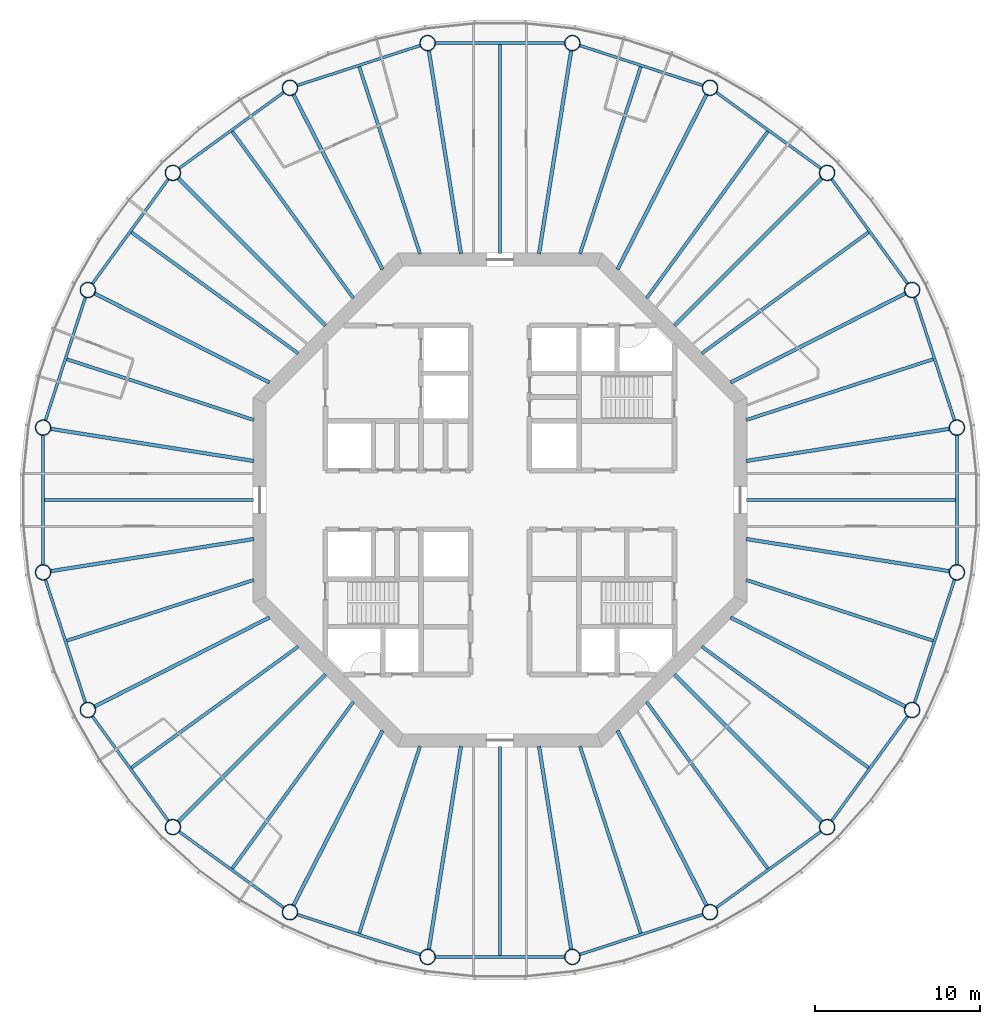
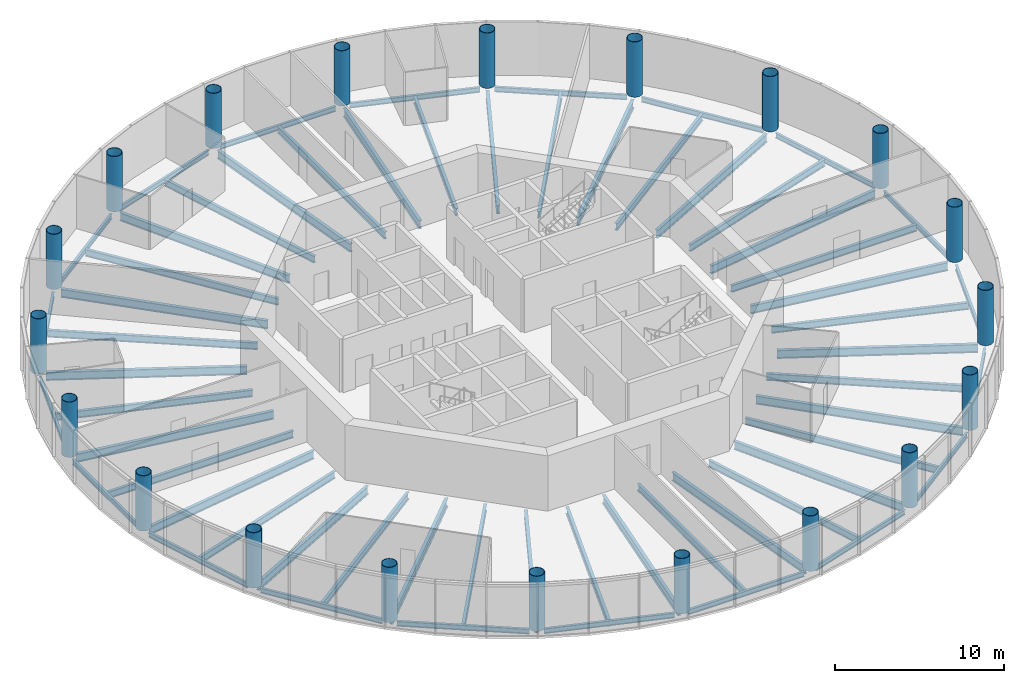
# One storey, part 1 of 13: 60 beams, 20 columns.
"""IFC4 building model written with IfcOpenShell, lengths in metres."""

from ifc_helpers import new_model, si_unit, direction, frame, origin, origin_2d, place, context, subcontext, project, spatial, circle, hollow_circle, i_section, extrude, material, material_profile, profile_set, type_object, element, save


model = new_model("IFC4")

# Units and contexts
model_context = context("Model", 3, precision=1e-05, world=origin(), true_north=direction((0.0, 1.0)))
body_context = subcontext(model_context, "Body", "Model", "MODEL_VIEW")
ifc_project = project(units=[si_unit("LENGTHUNIT", "METRE"), si_unit("AREAUNIT", "SQUARE_METRE"), si_unit("VOLUMEUNIT", "CUBIC_METRE"), si_unit("PLANEANGLEUNIT", "RADIAN"), si_unit("MASSUNIT", "GRAM", prefix="KILO")], contexts=[model_context])

# Site, building, storey
site_placement = place(None, origin())
site = spatial("IfcSite", under=ifc_project, at=site_placement, CompositionType="ELEMENT")
building_placement = place(site_placement, origin())
building = spatial("IfcBuilding", under=site, at=building_placement, Name="Entoto Ring Tower", CompositionType="ELEMENT")
storey_placement = place(building_placement, frame((0.0, 0.0, 278.0)))
storey = spatial("IfcBuildingStorey", under=building, at=storey_placement, Name="L63", CompositionType="ELEMENT", Elevation=278.0)

# Columns
ifc_material_1 = material(Name="Steel S355", Category="steel")
ifc_material_profile_1 = material_profile(ifc_material_1, hollow_circle(Radius=0.47509765625, WallThickness=0.034912109375, at=origin_2d()), Name="CHS 950 x 35")
ifc_material_2 = material(Name="Concrete C60/75", Category="concrete")
ifc_material_profile_2 = material_profile(ifc_material_2, circle(Radius=0.43994140625, at=origin_2d()), Name="Concrete C60/75 infill")
ifc_profile_set_1 = profile_set([ifc_material_profile_1, ifc_material_profile_2], Name="Steel S355")
column_type = type_object("IfcColumnType", Name="Ring column 950 x 35 concrete-filled tube", PredefinedType="COLUMN", material=ifc_profile_set_1)
for number, where, z_axis, x_axis, name in (
    (1, (117.754150390625, 84.395751953125, 0.0), (0.0, 0.0, 1.0), (1.0, 0.0, 0.0), "RC5 R01"),
    (2, (115.037353515625, 92.757080078125, 0.0), (0.0, 0.0, 1.0), (1.0, 0.0, 0.0), "RC5 R02"),
    (3, (109.86962890625, 99.86962890625, 0.0), (0.0, 0.0, 1.0), (1.0, 0.0, 0.0), "RC5 R03"),
    (4, (102.757080078125, 105.037353515625, 0.0), (0.0, 0.0, 1.0), (1.0, 0.0, 0.0), "RC5 R04"),
    (5, (94.395751953125, 107.754150390625, 0.0), (0.0, 0.0, 1.0), (1.0, 0.0, 0.0), "RC5 R05"),
    (6, (85.604248046875, 107.754150390625, 0.0), (0.0, 0.0, 1.0), (1.0, 0.0, 0.0), "RC5 R06"),
    (7, (77.242919921875, 105.037353515625, 0.0), (0.0, 0.0, 1.0), (1.0, 0.0, 0.0), "RC5 R07"),
    (8, (70.13037109375, 99.86962890625, 0.0), (0.0, 0.0, 1.0), (1.0, 0.0, 0.0), "RC5 R08"),
    (9, (64.962646484375, 92.757080078125, 0.0), (0.0, 0.0, 1.0), (1.0, 0.0, 0.0), "RC5 R09"),
    (10, (62.245849609375, 84.395751953125, 0.0), (0.0, 0.0, 1.0), (1.0, 0.0, 0.0), "RC5 R10"),
    (11, (62.245849609375, 75.604248046875, 0.0), (0.0, 0.0, 1.0), (1.0, 0.0, 0.0), "RC5 R11"),
    (12, (64.962646484375, 67.242919921875, 0.0), (0.0, 0.0, 1.0), (1.0, 0.0, 0.0), "RC5 R12"),
    (13, (70.13037109375, 60.13037109375, 0.0), (0.0, 0.0, 1.0), (1.0, 0.0, 0.0), "RC5 R13"),
    (14, (77.242919921875, 54.962646484375, 0.0), (0.0, 0.0, 1.0), (1.0, 0.0, 0.0), "RC5 R14"),
    (15, (85.604248046875, 52.245849609375, 0.0), (0.0, 0.0, 1.0), (1.0, 0.0, 0.0), "RC5 R15"),
    (16, (94.395751953125, 52.245849609375, 0.0), (0.0, 0.0, 1.0), (1.0, 0.0, 0.0), "RC5 R16"),
    (17, (102.757080078125, 54.962646484375, 0.0), (0.0, 0.0, 1.0), (1.0, 0.0, 0.0), "RC5 R17"),
    (18, (109.86962890625, 60.13037109375, 0.0), (0.0, 0.0, 1.0), (1.0, 0.0, 0.0), "RC5 R18"),
    (19, (115.037353515625, 67.242919921875, 0.0), (0.0, 0.0, 1.0), (1.0, 0.0, 0.0), "RC5 R19"),
    (20, (117.754150390625, 75.604248046875, 0.0), (0.0, 0.0, 1.0), (1.0, 0.0, 0.0), "RC5 R20"),
):
    element("IfcColumn", number, at=place(storey_placement, frame(where, z_axis=z_axis, x_axis=x_axis)), inside=storey, type_object=column_type, Name=name, PredefinedType="COLUMN", context=body_context, shape_type="SweptSolid", body=[
        extrude(hollow_circle(Radius=0.47509765625, WallThickness=0.034912109375, at=origin_2d()), origin(), (0.0, 0.0, 1.0), 4.0),
    ])

# Beams
ifc_material_3 = material(Name="Steel S355", Category="steel")
ifc_material_profile_3 = material_profile(ifc_material_3, i_section(OverallWidth=0.169921875, OverallDepth=0.360107421875, WebThickness=0.008056640625, FlangeThickness=0.0126953125, FilletRadius=0.01806640625, at=origin_2d()), Name="IPE 360")
ifc_profile_set_2 = profile_set([ifc_material_profile_3], Name="Steel S355")
beam_type_1 = type_object("IfcBeamType", Name="Edge beam IPE 360", PredefinedType="SPANDREL", material=ifc_profile_set_2)
beam_1_placement = place(storey_placement, frame((117.61572265625, 84.8212890625, -0.330078125), z_axis=(-0.309002883506, 0.951061101079, 0.0), x_axis=(-0.951061101079, -0.309002883506, 0.0)))
element("IfcBeam", 21, at=beam_1_placement, inside=storey, type_object=beam_type_1, Name="Edge beam L63 01", PredefinedType="SPANDREL", context=body_context, shape_type="SweptSolid", body=[
    extrude(i_section(OverallWidth=0.169921875, OverallDepth=0.360107421875, WebThickness=0.008056640625, FlangeThickness=0.0126953125, FilletRadius=0.01806640625, at=origin_2d()), origin(), (0.0, 0.0, 1.0), 7.89697265625),
])
for number, where, z_axis, x_axis, name in (
    (22, (114.7744140625, 93.118896484375, -0.330078125), (-0.587787449408, 0.809015398073, 0.0), (-0.809015398073, -0.587787449408, 0.0), "Edge beam L63 02"),
    (23, (109.5078125, 100.132568359375, -0.330078125), (-0.809015398073, 0.587787449408, 0.0), (-0.587787449408, -0.809015398073, 0.0), "Edge beam L63 03"),
):
    element("IfcBeam", number, at=place(storey_placement, frame(where, z_axis=z_axis, x_axis=x_axis)), inside=storey, type_object=beam_type_1, Name=name, PredefinedType="SPANDREL", context=body_context, shape_type="SweptSolid", body=[
        extrude(i_section(OverallWidth=0.169921875, OverallDepth=0.360107421875, WebThickness=0.008056640625, FlangeThickness=0.0126953125, FilletRadius=0.01806640625, at=origin_2d()), origin(), (0.0, 0.0, 1.0), 7.897216796875),
    ])
for number, where, z_axis, x_axis, name in (
    (24, (102.331787109375, 105.175537109375, -0.330078125), (-0.951061101079, 0.309002883506, 0.0), (-0.309002883506, -0.951061101079, 0.0), "Edge beam L63 04"),
    (25, (93.948486328125, 107.754150390625, -0.330078125), (-1.0, 0.0, 0.0), (0.0, -1.0, 0.0), "Edge beam L63 05"),
    (26, (85.1787109375, 107.61572265625, -0.330078125), (-0.951061101079, -0.309002883506, 0.0), (0.309002883506, -0.951061101079, 0.0), "Edge beam L63 06"),
):
    element("IfcBeam", number, at=place(storey_placement, frame(where, z_axis=z_axis, x_axis=x_axis)), inside=storey, type_object=beam_type_1, Name=name, PredefinedType="SPANDREL", context=body_context, shape_type="SweptSolid", body=[
        extrude(i_section(OverallWidth=0.169921875, OverallDepth=0.360107421875, WebThickness=0.008056640625, FlangeThickness=0.0126953125, FilletRadius=0.01806640625, at=origin_2d()), origin(), (0.0, 0.0, 1.0), 7.89697265625),
    ])
for number, where, z_axis, x_axis, name in (
    (27, (76.881103515625, 104.7744140625, -0.330078125), (-0.809015398073, -0.587787449408, 0.0), (0.587787449408, -0.809015398073, 0.0), "Edge beam L63 07"),
    (28, (69.867431640625, 99.5078125, -0.330078125), (-0.587787449408, -0.809015398073, 0.0), (0.809015398073, -0.587787449408, 0.0), "Edge beam L63 08"),
):
    element("IfcBeam", number, at=place(storey_placement, frame(where, z_axis=z_axis, x_axis=x_axis)), inside=storey, type_object=beam_type_1, Name=name, PredefinedType="SPANDREL", context=body_context, shape_type="SweptSolid", body=[
        extrude(i_section(OverallWidth=0.169921875, OverallDepth=0.360107421875, WebThickness=0.008056640625, FlangeThickness=0.0126953125, FilletRadius=0.01806640625, at=origin_2d()), origin(), (0.0, 0.0, 1.0), 7.897216796875),
    ])
for number, where, z_axis, x_axis, name in (
    (29, (64.824462890625, 92.331787109375, -0.330078125), (-0.309002883506, -0.951061101079, 0.0), (0.951061101079, -0.309002883506, 0.0), "Edge beam L63 09"),
    (30, (62.245849609375, 83.948486328125, -0.330078125), (0.0, -1.0, 0.0), (1.0, 0.0, 0.0), "Edge beam L63 10"),
    (31, (62.38427734375, 75.1787109375, -0.330078125), (0.309002883506, -0.951061101079, 0.0), (0.951061101079, 0.309002883506, 0.0), "Edge beam L63 11"),
):
    element("IfcBeam", number, at=place(storey_placement, frame(where, z_axis=z_axis, x_axis=x_axis)), inside=storey, type_object=beam_type_1, Name=name, PredefinedType="SPANDREL", context=body_context, shape_type="SweptSolid", body=[
        extrude(i_section(OverallWidth=0.169921875, OverallDepth=0.360107421875, WebThickness=0.008056640625, FlangeThickness=0.0126953125, FilletRadius=0.01806640625, at=origin_2d()), origin(), (0.0, 0.0, 1.0), 7.89697265625),
    ])
for number, where, z_axis, x_axis, name in (
    (32, (65.2255859375, 66.881103515625, -0.330078125), (0.587787449408, -0.809015398073, 0.0), (0.809015398073, 0.587787449408, 0.0), "Edge beam L63 12"),
    (33, (70.4921875, 59.867431640625, -0.330078125), (0.809015398073, -0.587787449408, 0.0), (0.587787449408, 0.809015398073, 0.0), "Edge beam L63 13"),
):
    element("IfcBeam", number, at=place(storey_placement, frame(where, z_axis=z_axis, x_axis=x_axis)), inside=storey, type_object=beam_type_1, Name=name, PredefinedType="SPANDREL", context=body_context, shape_type="SweptSolid", body=[
        extrude(i_section(OverallWidth=0.169921875, OverallDepth=0.360107421875, WebThickness=0.008056640625, FlangeThickness=0.0126953125, FilletRadius=0.01806640625, at=origin_2d()), origin(), (0.0, 0.0, 1.0), 7.897216796875),
    ])
for number, where, z_axis, x_axis, name in (
    (34, (77.668212890625, 54.824462890625, -0.330078125), (0.951061101079, -0.309002883506, 0.0), (0.309002883506, 0.951061101079, 0.0), "Edge beam L63 14"),
    (35, (86.051513671875, 52.245849609375, -0.330078125), (1.0, 0.0, 0.0), (0.0, 1.0, 0.0), "Edge beam L63 15"),
    (36, (94.8212890625, 52.38427734375, -0.330078125), (0.951061101079, 0.309002883506, 0.0), (-0.309002883506, 0.951061101079, 0.0), "Edge beam L63 16"),
):
    element("IfcBeam", number, at=place(storey_placement, frame(where, z_axis=z_axis, x_axis=x_axis)), inside=storey, type_object=beam_type_1, Name=name, PredefinedType="SPANDREL", context=body_context, shape_type="SweptSolid", body=[
        extrude(i_section(OverallWidth=0.169921875, OverallDepth=0.360107421875, WebThickness=0.008056640625, FlangeThickness=0.0126953125, FilletRadius=0.01806640625, at=origin_2d()), origin(), (0.0, 0.0, 1.0), 7.89697265625),
    ])
for number, where, z_axis, x_axis, name in (
    (37, (103.118896484375, 55.2255859375, -0.330078125), (0.809015398073, 0.587787449408, 0.0), (-0.587787449408, 0.809015398073, 0.0), "Edge beam L63 17"),
    (38, (110.132568359375, 60.4921875, -0.330078125), (0.587787449408, 0.809015398073, 0.0), (-0.809015398073, 0.587787449408, 0.0), "Edge beam L63 18"),
):
    element("IfcBeam", number, at=place(storey_placement, frame(where, z_axis=z_axis, x_axis=x_axis)), inside=storey, type_object=beam_type_1, Name=name, PredefinedType="SPANDREL", context=body_context, shape_type="SweptSolid", body=[
        extrude(i_section(OverallWidth=0.169921875, OverallDepth=0.360107421875, WebThickness=0.008056640625, FlangeThickness=0.0126953125, FilletRadius=0.01806640625, at=origin_2d()), origin(), (0.0, 0.0, 1.0), 7.897216796875),
    ])
for number, where, z_axis, x_axis, name in (
    (39, (115.175537109375, 67.668212890625, -0.330078125), (0.309002883506, 0.951061101079, 0.0), (-0.951061101079, 0.309002883506, 0.0), "Edge beam L63 19"),
    (40, (117.754150390625, 76.051513671875, -0.330078125), (0.0, 1.0, 0.0), (-1.0, 0.0, 0.0), "Edge beam L63 20"),
):
    element("IfcBeam", number, at=place(storey_placement, frame(where, z_axis=z_axis, x_axis=x_axis)), inside=storey, type_object=beam_type_1, Name=name, PredefinedType="SPANDREL", context=body_context, shape_type="SweptSolid", body=[
        extrude(i_section(OverallWidth=0.169921875, OverallDepth=0.360107421875, WebThickness=0.008056640625, FlangeThickness=0.0126953125, FilletRadius=0.01806640625, at=origin_2d()), origin(), (0.0, 0.0, 1.0), 7.89697265625),
    ])
ifc_material_4 = material(Name="Steel S355", Category="steel")
ifc_material_profile_4 = material_profile(ifc_material_4, i_section(OverallWidth=0.219970703125, OverallDepth=0.60009765625, WebThickness=0.011962890625, FlangeThickness=0.01904296875, FilletRadius=0.02392578125, at=origin_2d()), Name="IPE 600")
ifc_profile_set_3 = profile_set([ifc_material_profile_4], Name="Steel S355")
beam_type_2 = type_object("IfcBeamType", Name="Primary floor beam IPE 600", PredefinedType="BEAM", material=ifc_profile_set_3)
beam_2_placement = place(storey_placement, frame((104.963134765625, 82.369873046875, -0.449951171875), z_axis=(0.987687519796, 0.156439647277, 0.0), x_axis=(-0.156439647277, 0.987687519796, 0.0)))
element("IfcBeam", 41, at=beam_2_placement, inside=storey, type_object=beam_type_2, Name="Primary L63 R01", PredefinedType="BEAM", context=body_context, shape_type="SweptSolid", body=[
    extrude(i_section(OverallWidth=0.219970703125, OverallDepth=0.60009765625, WebThickness=0.011962890625, FlangeThickness=0.01904296875, FilletRadius=0.02392578125, at=origin_2d()), origin(), (0.0, 0.0, 1.0), 12.50830078125),
])
beam_3_placement = place(storey_placement, frame((104.003173828125, 87.135009765625, -0.449951171875), z_axis=(0.891007666593, 0.453988257638, 0.0), x_axis=(-0.453988257638, 0.891007666593, 0.0)))
element("IfcBeam", 42, at=beam_3_placement, inside=storey, type_object=beam_type_2, Name="Primary L63 R02", PredefinedType="BEAM", context=body_context, shape_type="SweptSolid", body=[
    extrude(i_section(OverallWidth=0.219970703125, OverallDepth=0.60009765625, WebThickness=0.011962890625, FlangeThickness=0.01904296875, FilletRadius=0.02392578125, at=origin_2d()), origin(), (0.0, 0.0, 1.0), 11.941650390625),
])
beam_4_placement = place(storey_placement, frame((100.592529296875, 90.592529296875, -0.449951171875), z_axis=(0.707106781187, 0.707106781187, 0.0), x_axis=(-0.707106781187, 0.707106781187, 0.0)))
element("IfcBeam", 43, at=beam_4_placement, inside=storey, type_object=beam_type_2, Name="Primary L63 R03", PredefinedType="BEAM", context=body_context, shape_type="SweptSolid", body=[
    extrude(i_section(OverallWidth=0.219970703125, OverallDepth=0.60009765625, WebThickness=0.011962890625, FlangeThickness=0.01904296875, FilletRadius=0.02392578125, at=origin_2d()), origin(), (0.0, 0.0, 1.0), 12.677978515625),
])
beam_5_placement = place(storey_placement, frame((97.135009765625, 94.003173828125, -0.449951171875), z_axis=(0.453988257638, 0.891007666593, 0.0), x_axis=(-0.891007666593, 0.453988257638, 0.0)))
element("IfcBeam", 44, at=beam_5_placement, inside=storey, type_object=beam_type_2, Name="Primary L63 R04", PredefinedType="BEAM", context=body_context, shape_type="SweptSolid", body=[
    extrude(i_section(OverallWidth=0.219970703125, OverallDepth=0.60009765625, WebThickness=0.011962890625, FlangeThickness=0.01904296875, FilletRadius=0.02392578125, at=origin_2d()), origin(), (0.0, 0.0, 1.0), 11.941650390625),
])
for number, where, z_axis, x_axis, name in (
    (45, (92.369873046875, 94.963134765625, -0.449951171875), (0.156439647277, 0.987687519796, 0.0), (-0.987687519796, 0.156439647277, 0.0), "Primary L63 R05"),
    (46, (87.630126953125, 94.963134765625, -0.449951171875), (-0.156439647277, 0.987687519796, 0.0), (-0.987687519796, -0.156439647277, 0.0), "Primary L63 R06"),
):
    element("IfcBeam", number, at=place(storey_placement, frame(where, z_axis=z_axis, x_axis=x_axis)), inside=storey, type_object=beam_type_2, Name=name, PredefinedType="BEAM", context=body_context, shape_type="SweptSolid", body=[
        extrude(i_section(OverallWidth=0.219970703125, OverallDepth=0.60009765625, WebThickness=0.011962890625, FlangeThickness=0.01904296875, FilletRadius=0.02392578125, at=origin_2d()), origin(), (0.0, 0.0, 1.0), 12.50830078125),
    ])
beam_6_placement = place(storey_placement, frame((82.864990234375, 94.003173828125, -0.449951171875), z_axis=(-0.453988257638, 0.891007666593, 0.0), x_axis=(-0.891007666593, -0.453988257638, 0.0)))
element("IfcBeam", 47, at=beam_6_placement, inside=storey, type_object=beam_type_2, Name="Primary L63 R07", PredefinedType="BEAM", context=body_context, shape_type="SweptSolid", body=[
    extrude(i_section(OverallWidth=0.219970703125, OverallDepth=0.60009765625, WebThickness=0.011962890625, FlangeThickness=0.01904296875, FilletRadius=0.02392578125, at=origin_2d()), origin(), (0.0, 0.0, 1.0), 11.941650390625),
])
beam_7_placement = place(storey_placement, frame((79.407470703125, 90.592529296875, -0.449951171875), z_axis=(-0.707106781187, 0.707106781187, 0.0), x_axis=(-0.707106781187, -0.707106781187, 0.0)))
element("IfcBeam", 48, at=beam_7_placement, inside=storey, type_object=beam_type_2, Name="Primary L63 R08", PredefinedType="BEAM", context=body_context, shape_type="SweptSolid", body=[
    extrude(i_section(OverallWidth=0.219970703125, OverallDepth=0.60009765625, WebThickness=0.011962890625, FlangeThickness=0.01904296875, FilletRadius=0.02392578125, at=origin_2d()), origin(), (0.0, 0.0, 1.0), 12.677978515625),
])
beam_8_placement = place(storey_placement, frame((75.996826171875, 87.135009765625, -0.449951171875), z_axis=(-0.891007666593, 0.453988257638, 0.0), x_axis=(-0.453988257638, -0.891007666593, 0.0)))
element("IfcBeam", 49, at=beam_8_placement, inside=storey, type_object=beam_type_2, Name="Primary L63 R09", PredefinedType="BEAM", context=body_context, shape_type="SweptSolid", body=[
    extrude(i_section(OverallWidth=0.219970703125, OverallDepth=0.60009765625, WebThickness=0.011962890625, FlangeThickness=0.01904296875, FilletRadius=0.02392578125, at=origin_2d()), origin(), (0.0, 0.0, 1.0), 11.941650390625),
])
for number, where, z_axis, x_axis, name in (
    (50, (75.036865234375, 82.369873046875, -0.449951171875), (-0.987687519796, 0.156439647277, 0.0), (-0.156439647277, -0.987687519796, 0.0), "Primary L63 R10"),
    (51, (75.036865234375, 77.630126953125, -0.449951171875), (-0.987687519796, -0.156439647277, 0.0), (0.156439647277, -0.987687519796, 0.0), "Primary L63 R11"),
):
    element("IfcBeam", number, at=place(storey_placement, frame(where, z_axis=z_axis, x_axis=x_axis)), inside=storey, type_object=beam_type_2, Name=name, PredefinedType="BEAM", context=body_context, shape_type="SweptSolid", body=[
        extrude(i_section(OverallWidth=0.219970703125, OverallDepth=0.60009765625, WebThickness=0.011962890625, FlangeThickness=0.01904296875, FilletRadius=0.02392578125, at=origin_2d()), origin(), (0.0, 0.0, 1.0), 12.50830078125),
    ])
beam_9_placement = place(storey_placement, frame((75.996826171875, 72.864990234375, -0.449951171875), z_axis=(-0.891007666593, -0.453988257638, 0.0), x_axis=(0.453988257638, -0.891007666593, 0.0)))
element("IfcBeam", 52, at=beam_9_placement, inside=storey, type_object=beam_type_2, Name="Primary L63 R12", PredefinedType="BEAM", context=body_context, shape_type="SweptSolid", body=[
    extrude(i_section(OverallWidth=0.219970703125, OverallDepth=0.60009765625, WebThickness=0.011962890625, FlangeThickness=0.01904296875, FilletRadius=0.02392578125, at=origin_2d()), origin(), (0.0, 0.0, 1.0), 11.941650390625),
])
beam_10_placement = place(storey_placement, frame((79.407470703125, 69.407470703125, -0.449951171875), z_axis=(-0.707106781187, -0.707106781187, 0.0), x_axis=(0.707106781187, -0.707106781187, 0.0)))
element("IfcBeam", 53, at=beam_10_placement, inside=storey, type_object=beam_type_2, Name="Primary L63 R13", PredefinedType="BEAM", context=body_context, shape_type="SweptSolid", body=[
    extrude(i_section(OverallWidth=0.219970703125, OverallDepth=0.60009765625, WebThickness=0.011962890625, FlangeThickness=0.01904296875, FilletRadius=0.02392578125, at=origin_2d()), origin(), (0.0, 0.0, 1.0), 12.677978515625),
])
beam_11_placement = place(storey_placement, frame((82.864990234375, 65.996826171875, -0.449951171875), z_axis=(-0.453988257638, -0.891007666593, 0.0), x_axis=(0.891007666593, -0.453988257638, 0.0)))
element("IfcBeam", 54, at=beam_11_placement, inside=storey, type_object=beam_type_2, Name="Primary L63 R14", PredefinedType="BEAM", context=body_context, shape_type="SweptSolid", body=[
    extrude(i_section(OverallWidth=0.219970703125, OverallDepth=0.60009765625, WebThickness=0.011962890625, FlangeThickness=0.01904296875, FilletRadius=0.02392578125, at=origin_2d()), origin(), (0.0, 0.0, 1.0), 11.941650390625),
])
for number, where, z_axis, x_axis, name in (
    (55, (87.630126953125, 65.036865234375, -0.449951171875), (-0.156439647277, -0.987687519796, 0.0), (0.987687519796, -0.156439647277, 0.0), "Primary L63 R15"),
    (56, (92.369873046875, 65.036865234375, -0.449951171875), (0.156439647277, -0.987687519796, 0.0), (0.987687519796, 0.156439647277, 0.0), "Primary L63 R16"),
):
    element("IfcBeam", number, at=place(storey_placement, frame(where, z_axis=z_axis, x_axis=x_axis)), inside=storey, type_object=beam_type_2, Name=name, PredefinedType="BEAM", context=body_context, shape_type="SweptSolid", body=[
        extrude(i_section(OverallWidth=0.219970703125, OverallDepth=0.60009765625, WebThickness=0.011962890625, FlangeThickness=0.01904296875, FilletRadius=0.02392578125, at=origin_2d()), origin(), (0.0, 0.0, 1.0), 12.50830078125),
    ])
beam_12_placement = place(storey_placement, frame((97.135009765625, 65.996826171875, -0.449951171875), z_axis=(0.453988257638, -0.891007666593, 0.0), x_axis=(0.891007666593, 0.453988257638, 0.0)))
element("IfcBeam", 57, at=beam_12_placement, inside=storey, type_object=beam_type_2, Name="Primary L63 R17", PredefinedType="BEAM", context=body_context, shape_type="SweptSolid", body=[
    extrude(i_section(OverallWidth=0.219970703125, OverallDepth=0.60009765625, WebThickness=0.011962890625, FlangeThickness=0.01904296875, FilletRadius=0.02392578125, at=origin_2d()), origin(), (0.0, 0.0, 1.0), 11.941650390625),
])
beam_13_placement = place(storey_placement, frame((100.592529296875, 69.407470703125, -0.449951171875), z_axis=(0.707106781187, -0.707106781187, 0.0), x_axis=(0.707106781187, 0.707106781187, 0.0)))
element("IfcBeam", 58, at=beam_13_placement, inside=storey, type_object=beam_type_2, Name="Primary L63 R18", PredefinedType="BEAM", context=body_context, shape_type="SweptSolid", body=[
    extrude(i_section(OverallWidth=0.219970703125, OverallDepth=0.60009765625, WebThickness=0.011962890625, FlangeThickness=0.01904296875, FilletRadius=0.02392578125, at=origin_2d()), origin(), (0.0, 0.0, 1.0), 12.677978515625),
])
beam_14_placement = place(storey_placement, frame((104.003173828125, 72.864990234375, -0.449951171875), z_axis=(0.891007666593, -0.453988257638, 0.0), x_axis=(0.453988257638, 0.891007666593, 0.0)))
element("IfcBeam", 59, at=beam_14_placement, inside=storey, type_object=beam_type_2, Name="Primary L63 R19", PredefinedType="BEAM", context=body_context, shape_type="SweptSolid", body=[
    extrude(i_section(OverallWidth=0.219970703125, OverallDepth=0.60009765625, WebThickness=0.011962890625, FlangeThickness=0.01904296875, FilletRadius=0.02392578125, at=origin_2d()), origin(), (0.0, 0.0, 1.0), 11.941650390625),
])
beam_15_placement = place(storey_placement, frame((104.963134765625, 77.630126953125, -0.449951171875), z_axis=(0.987687519796, -0.156439647277, 0.0), x_axis=(0.156439647277, 0.987687519796, 0.0)))
element("IfcBeam", 60, at=beam_15_placement, inside=storey, type_object=beam_type_2, Name="Primary L63 R20", PredefinedType="BEAM", context=body_context, shape_type="SweptSolid", body=[
    extrude(i_section(OverallWidth=0.219970703125, OverallDepth=0.60009765625, WebThickness=0.011962890625, FlangeThickness=0.01904296875, FilletRadius=0.02392578125, at=origin_2d()), origin(), (0.0, 0.0, 1.0), 12.50830078125),
])
ifc_material_5 = material(Name="Steel S355", Category="steel")
ifc_material_profile_5 = material_profile(ifc_material_5, i_section(OverallWidth=0.199951171875, OverallDepth=0.5, WebThickness=0.01025390625, FlangeThickness=0.01611328125, FilletRadius=0.02099609375, at=origin_2d()), Name="IPE 500")
ifc_profile_set_4 = profile_set([ifc_material_profile_5], Name="Steel S355")
beam_type_3 = type_object("IfcBeamType", Name="Secondary floor beam IPE 500", PredefinedType="JOIST", material=ifc_profile_set_4)
beam_16_placement = place(storey_placement, frame((104.9501953125, 84.857666015625, -0.39990234375), z_axis=(0.951056587506, 0.30901677521, 0.0), x_axis=(-0.30901677521, 0.951056587506, 0.0)))
element("IfcBeam", 61, at=beam_16_placement, inside=storey, type_object=beam_type_3, Name="Secondary beam L63 01", PredefinedType="JOIST", context=body_context, shape_type="SweptSolid", body=[
    extrude(i_section(OverallWidth=0.199951171875, OverallDepth=0.5, WebThickness=0.01025390625, FlangeThickness=0.01611328125, FilletRadius=0.02099609375, at=origin_2d()), origin(), (0.0, 0.0, 1.0), 11.94970703125),
])
for number, where, z_axis, x_axis, name in (
    (62, (102.257568359375, 88.905517578125, -0.39990234375), (0.80901431041, 0.587788946436, 0.0), (-0.587788946436, 0.80901431041, 0.0), "Secondary beam L63 02"),
    (63, (98.905517578125, 92.257568359375, -0.39990234375), (0.587788946436, 0.80901431041, 0.0), (-0.80901431041, 0.587788946436, 0.0), "Secondary beam L63 03"),
):
    element("IfcBeam", number, at=place(storey_placement, frame(where, z_axis=z_axis, x_axis=x_axis)), inside=storey, type_object=beam_type_3, Name=name, PredefinedType="JOIST", context=body_context, shape_type="SweptSolid", body=[
        extrude(i_section(OverallWidth=0.199951171875, OverallDepth=0.5, WebThickness=0.01025390625, FlangeThickness=0.01611328125, FilletRadius=0.02099609375, at=origin_2d()), origin(), (0.0, 0.0, 1.0), 12.51806640625),
    ])
beam_17_placement = place(storey_placement, frame((94.857666015625, 94.9501953125, -0.39990234375), z_axis=(0.30901677521, 0.951056587506, 0.0), x_axis=(-0.951056587506, 0.30901677521, 0.0)))
element("IfcBeam", 64, at=beam_17_placement, inside=storey, type_object=beam_type_3, Name="Secondary beam L63 04", PredefinedType="JOIST", context=body_context, shape_type="SweptSolid", body=[
    extrude(i_section(OverallWidth=0.199951171875, OverallDepth=0.5, WebThickness=0.01025390625, FlangeThickness=0.01611328125, FilletRadius=0.02099609375, at=origin_2d()), origin(), (0.0, 0.0, 1.0), 11.94970703125),
])
beam_18_placement = place(storey_placement, frame((90.0, 94.97998046875, -0.39990234375), z_axis=(0.0, 1.0, 0.0), x_axis=(-1.0, 0.0, 0.0)))
element("IfcBeam", 65, at=beam_18_placement, inside=storey, type_object=beam_type_3, Name="Secondary beam L63 05", PredefinedType="JOIST", context=body_context, shape_type="SweptSolid", body=[
    extrude(i_section(OverallWidth=0.199951171875, OverallDepth=0.5, WebThickness=0.01025390625, FlangeThickness=0.01611328125, FilletRadius=0.02099609375, at=origin_2d()), origin(), (0.0, 0.0, 1.0), 12.68896484375),
])
beam_19_placement = place(storey_placement, frame((85.142333984375, 94.9501953125, -0.39990234375), z_axis=(-0.30901677521, 0.951056587506, 0.0), x_axis=(-0.951056587506, -0.30901677521, 0.0)))
element("IfcBeam", 66, at=beam_19_placement, inside=storey, type_object=beam_type_3, Name="Secondary beam L63 06", PredefinedType="JOIST", context=body_context, shape_type="SweptSolid", body=[
    extrude(i_section(OverallWidth=0.199951171875, OverallDepth=0.5, WebThickness=0.01025390625, FlangeThickness=0.01611328125, FilletRadius=0.02099609375, at=origin_2d()), origin(), (0.0, 0.0, 1.0), 11.94970703125),
])
for number, where, z_axis, x_axis, name in (
    (67, (81.094482421875, 92.257568359375, -0.39990234375), (-0.587788946436, 0.80901431041, 0.0), (-0.80901431041, -0.587788946436, 0.0), "Secondary beam L63 07"),
    (68, (77.742431640625, 88.905517578125, -0.39990234375), (-0.80901431041, 0.587788946436, 0.0), (-0.587788946436, -0.80901431041, 0.0), "Secondary beam L63 08"),
):
    element("IfcBeam", number, at=place(storey_placement, frame(where, z_axis=z_axis, x_axis=x_axis)), inside=storey, type_object=beam_type_3, Name=name, PredefinedType="JOIST", context=body_context, shape_type="SweptSolid", body=[
        extrude(i_section(OverallWidth=0.199951171875, OverallDepth=0.5, WebThickness=0.01025390625, FlangeThickness=0.01611328125, FilletRadius=0.02099609375, at=origin_2d()), origin(), (0.0, 0.0, 1.0), 12.51806640625),
    ])
beam_20_placement = place(storey_placement, frame((75.0498046875, 84.857666015625, -0.39990234375), z_axis=(-0.951056587506, 0.30901677521, 0.0), x_axis=(-0.30901677521, -0.951056587506, 0.0)))
element("IfcBeam", 69, at=beam_20_placement, inside=storey, type_object=beam_type_3, Name="Secondary beam L63 09", PredefinedType="JOIST", context=body_context, shape_type="SweptSolid", body=[
    extrude(i_section(OverallWidth=0.199951171875, OverallDepth=0.5, WebThickness=0.01025390625, FlangeThickness=0.01611328125, FilletRadius=0.02099609375, at=origin_2d()), origin(), (0.0, 0.0, 1.0), 11.94970703125),
])
beam_21_placement = place(storey_placement, frame((75.02001953125, 80.0, -0.39990234375), z_axis=(-1.0, 0.0, 0.0), x_axis=(0.0, -1.0, 0.0)))
element("IfcBeam", 70, at=beam_21_placement, inside=storey, type_object=beam_type_3, Name="Secondary beam L63 10", PredefinedType="JOIST", context=body_context, shape_type="SweptSolid", body=[
    extrude(i_section(OverallWidth=0.199951171875, OverallDepth=0.5, WebThickness=0.01025390625, FlangeThickness=0.01611328125, FilletRadius=0.02099609375, at=origin_2d()), origin(), (0.0, 0.0, 1.0), 12.68896484375),
])
beam_22_placement = place(storey_placement, frame((75.0498046875, 75.142333984375, -0.39990234375), z_axis=(-0.951056587506, -0.30901677521, 0.0), x_axis=(0.30901677521, -0.951056587506, 0.0)))
element("IfcBeam", 71, at=beam_22_placement, inside=storey, type_object=beam_type_3, Name="Secondary beam L63 11", PredefinedType="JOIST", context=body_context, shape_type="SweptSolid", body=[
    extrude(i_section(OverallWidth=0.199951171875, OverallDepth=0.5, WebThickness=0.01025390625, FlangeThickness=0.01611328125, FilletRadius=0.02099609375, at=origin_2d()), origin(), (0.0, 0.0, 1.0), 11.94970703125),
])
for number, where, z_axis, x_axis, name in (
    (72, (77.742431640625, 71.094482421875, -0.39990234375), (-0.80901431041, -0.587788946436, 0.0), (0.587788946436, -0.80901431041, 0.0), "Secondary beam L63 12"),
    (73, (81.094482421875, 67.742431640625, -0.39990234375), (-0.587788946436, -0.80901431041, 0.0), (0.80901431041, -0.587788946436, 0.0), "Secondary beam L63 13"),
):
    element("IfcBeam", number, at=place(storey_placement, frame(where, z_axis=z_axis, x_axis=x_axis)), inside=storey, type_object=beam_type_3, Name=name, PredefinedType="JOIST", context=body_context, shape_type="SweptSolid", body=[
        extrude(i_section(OverallWidth=0.199951171875, OverallDepth=0.5, WebThickness=0.01025390625, FlangeThickness=0.01611328125, FilletRadius=0.02099609375, at=origin_2d()), origin(), (0.0, 0.0, 1.0), 12.51806640625),
    ])
beam_23_placement = place(storey_placement, frame((85.142333984375, 65.0498046875, -0.39990234375), z_axis=(-0.30901677521, -0.951056587506, 0.0), x_axis=(0.951056587506, -0.30901677521, 0.0)))
element("IfcBeam", 74, at=beam_23_placement, inside=storey, type_object=beam_type_3, Name="Secondary beam L63 14", PredefinedType="JOIST", context=body_context, shape_type="SweptSolid", body=[
    extrude(i_section(OverallWidth=0.199951171875, OverallDepth=0.5, WebThickness=0.01025390625, FlangeThickness=0.01611328125, FilletRadius=0.02099609375, at=origin_2d()), origin(), (0.0, 0.0, 1.0), 11.94970703125),
])
beam_24_placement = place(storey_placement, frame((90.0, 65.02001953125, -0.39990234375), z_axis=(0.0, -1.0, 0.0), x_axis=(1.0, 0.0, 0.0)))
element("IfcBeam", 75, at=beam_24_placement, inside=storey, type_object=beam_type_3, Name="Secondary beam L63 15", PredefinedType="JOIST", context=body_context, shape_type="SweptSolid", body=[
    extrude(i_section(OverallWidth=0.199951171875, OverallDepth=0.5, WebThickness=0.01025390625, FlangeThickness=0.01611328125, FilletRadius=0.02099609375, at=origin_2d()), origin(), (0.0, 0.0, 1.0), 12.68896484375),
])
beam_25_placement = place(storey_placement, frame((94.857666015625, 65.0498046875, -0.39990234375), z_axis=(0.30901677521, -0.951056587506, 0.0), x_axis=(0.951056587506, 0.30901677521, 0.0)))
element("IfcBeam", 76, at=beam_25_placement, inside=storey, type_object=beam_type_3, Name="Secondary beam L63 16", PredefinedType="JOIST", context=body_context, shape_type="SweptSolid", body=[
    extrude(i_section(OverallWidth=0.199951171875, OverallDepth=0.5, WebThickness=0.01025390625, FlangeThickness=0.01611328125, FilletRadius=0.02099609375, at=origin_2d()), origin(), (0.0, 0.0, 1.0), 11.94970703125),
])
for number, where, z_axis, x_axis, name in (
    (77, (98.905517578125, 67.742431640625, -0.39990234375), (0.587788946436, -0.80901431041, 0.0), (0.80901431041, 0.587788946436, 0.0), "Secondary beam L63 17"),
    (78, (102.257568359375, 71.094482421875, -0.39990234375), (0.80901431041, -0.587788946436, 0.0), (0.587788946436, 0.80901431041, 0.0), "Secondary beam L63 18"),
):
    element("IfcBeam", number, at=place(storey_placement, frame(where, z_axis=z_axis, x_axis=x_axis)), inside=storey, type_object=beam_type_3, Name=name, PredefinedType="JOIST", context=body_context, shape_type="SweptSolid", body=[
        extrude(i_section(OverallWidth=0.199951171875, OverallDepth=0.5, WebThickness=0.01025390625, FlangeThickness=0.01611328125, FilletRadius=0.02099609375, at=origin_2d()), origin(), (0.0, 0.0, 1.0), 12.51806640625),
    ])
beam_26_placement = place(storey_placement, frame((104.9501953125, 75.142333984375, -0.39990234375), z_axis=(0.951056587506, -0.30901677521, 0.0), x_axis=(0.30901677521, 0.951056587506, 0.0)))
element("IfcBeam", 79, at=beam_26_placement, inside=storey, type_object=beam_type_3, Name="Secondary beam L63 19", PredefinedType="JOIST", context=body_context, shape_type="SweptSolid", body=[
    extrude(i_section(OverallWidth=0.199951171875, OverallDepth=0.5, WebThickness=0.01025390625, FlangeThickness=0.01611328125, FilletRadius=0.02099609375, at=origin_2d()), origin(), (0.0, 0.0, 1.0), 11.94970703125),
])
beam_27_placement = place(storey_placement, frame((104.97998046875, 80.0, -0.39990234375), z_axis=(1.0, 0.0, 0.0), x_axis=(0.0, 1.0, 0.0)))
element("IfcBeam", 80, at=beam_27_placement, inside=storey, type_object=beam_type_3, Name="Secondary beam L63 20", PredefinedType="JOIST", context=body_context, shape_type="SweptSolid", body=[
    extrude(i_section(OverallWidth=0.199951171875, OverallDepth=0.5, WebThickness=0.01025390625, FlangeThickness=0.01611328125, FilletRadius=0.02099609375, at=origin_2d()), origin(), (0.0, 0.0, 1.0), 12.68896484375),
])

save(model, "model.ifc")
